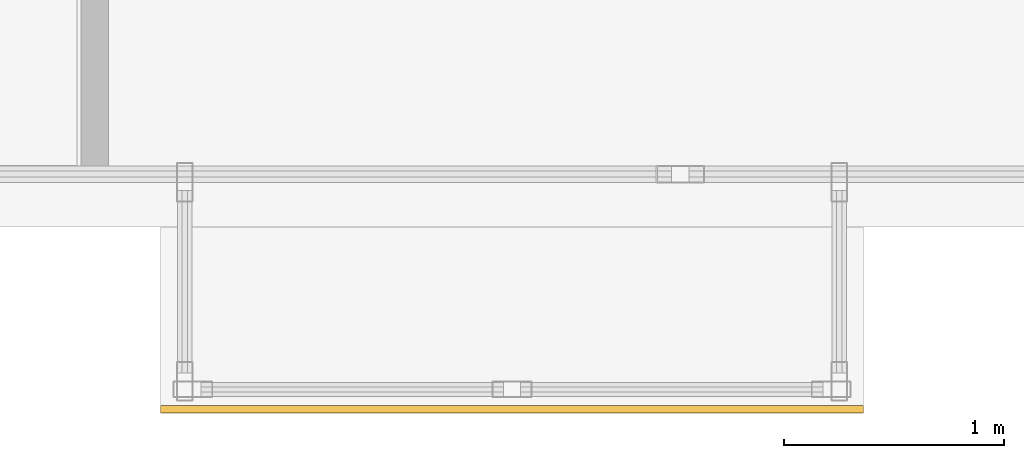
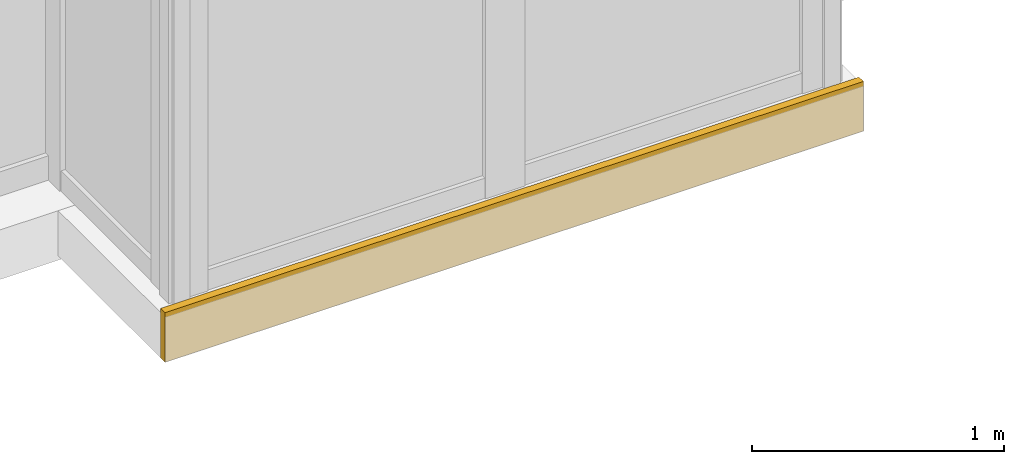
# One storey, part 22 of 23: 1 covering.
"""IFC4 building model written with IfcOpenShell, lengths in metres."""

from ifc_helpers import new_model, si_unit, direction, frame, origin, origin_2d, place, context, subcontext, project, spatial, rectangle, extrude, material, layer, layer_set, type_object, element, save


model = new_model("IFC4")

# Units and contexts
model_context = context("Model", 3, precision=1e-05, world=origin(), true_north=direction((0.0, 1.0)))
body_context = subcontext(model_context, "Body", "Model", "MODEL_VIEW")
ifc_project = project(units=[si_unit("LENGTHUNIT", "METRE"), si_unit("AREAUNIT", "SQUARE_METRE"), si_unit("VOLUMEUNIT", "CUBIC_METRE"), si_unit("PLANEANGLEUNIT", "RADIAN"), si_unit("MASSUNIT", "GRAM", prefix="KILO")], contexts=[model_context])

# Site, building, storey
site_placement = place(None, origin())
site = spatial("IfcSite", under=ifc_project, at=site_placement, CompositionType="ELEMENT")
building_placement = place(site_placement, origin())
building = spatial("IfcBuilding", under=site, at=building_placement, Name="Kolvaren Waterfront Exchange", CompositionType="ELEMENT")
storey_placement = place(building_placement, frame((0.0, 0.0, 242.5)))
storey = spatial("IfcBuildingStorey", under=building, at=storey_placement, Name="L62", CompositionType="ELEMENT", Elevation=242.5)

# Covering
ifc_material = material(Name="Anodised bronze fascia aluminium", Category="aluminium")
ifc_layer = layer(ifc_material, 0.034912109375, Name="Anodised bronze fascia aluminium")
ifc_layer_set = layer_set([ifc_layer], Name="Anodised bronze fascia aluminium")
covering_type = type_object("IfcCoveringType", Name="ARC-CLAD-BRONZE-35", PredefinedType="CLADDING", material=ifc_layer_set)
covering_placement = place(storey_placement, frame((40.5, 2.77001953125, -0.22021484375), z_axis=(0.0, 0.0, 1.0), x_axis=(1.0, 0.0, 0.0)))
element("IfcCovering", 1, at=covering_placement, inside=storey, type_object=covering_type, Name="L62 ribbed anodised bronze bay-box fascia", PredefinedType="CLADDING", context=body_context, shape_type="SweptSolid", body=[
    extrude(rectangle(XDim=3.199951171875, YDim=0.034912109375, at=origin_2d()), origin(), (0.0, 0.0, 1.0), 0.239990234375),
])

save(model, "model.ifc")
